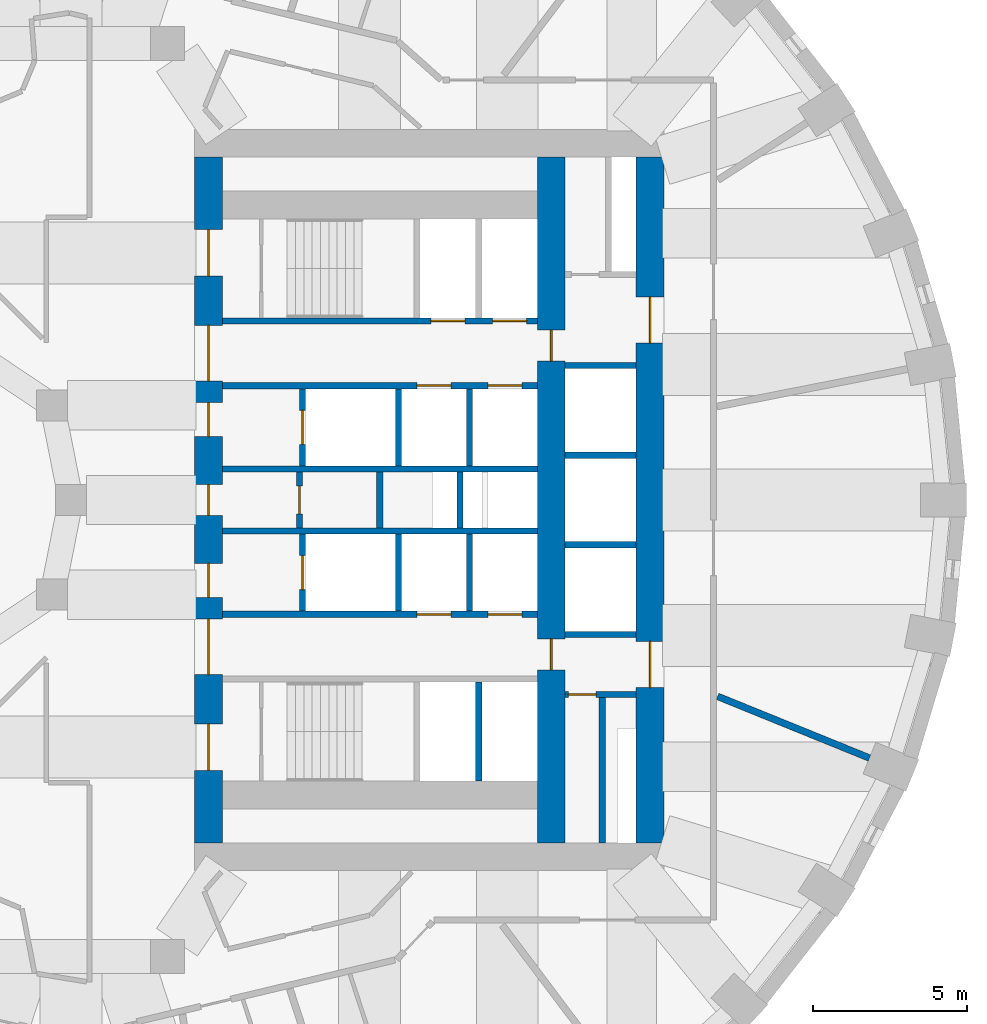
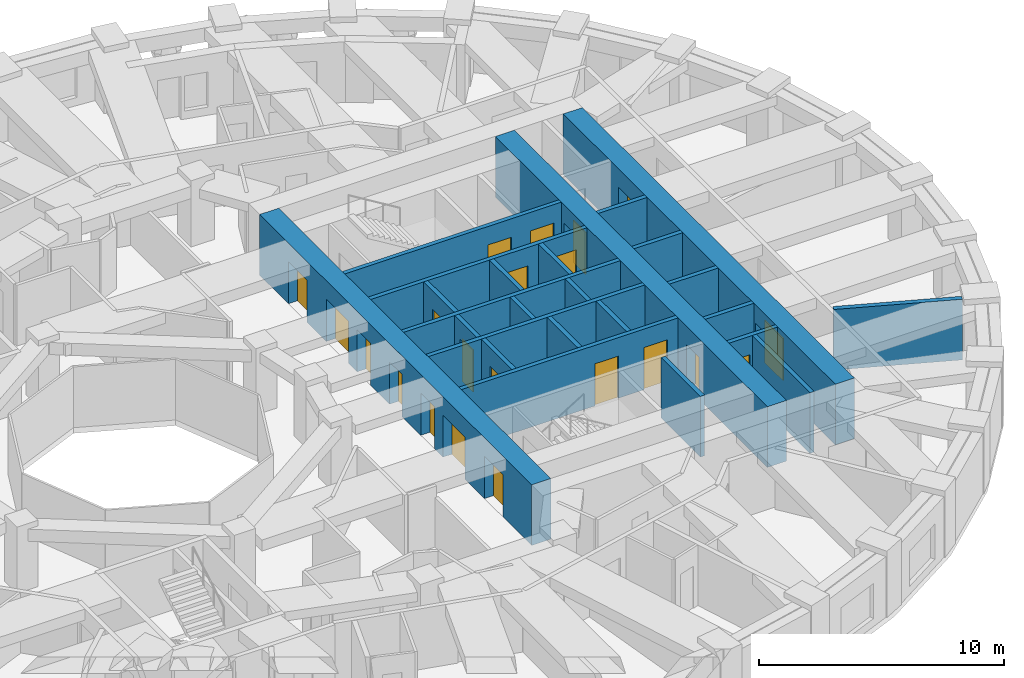
# One storey, part 6 of 14: 25 walls, 21 doors, 21 openings.
"""IFC4 building model written with IfcOpenShell, lengths in metres."""

from ifc_helpers import new_model, si_unit, direction, frame, frame_2d, origin, place, context, subcontext, project, spatial, rectangle, extrude, material, layer, layer_set, type_object, element, fill, save


model = new_model("IFC4")

# Units and contexts
model_context = context("Model", 3, precision=1e-05, world=origin(), true_north=direction((0.0, 1.0)))
body_context = subcontext(model_context, "Body", "Model", "MODEL_VIEW")
ifc_project = project(units=[si_unit("LENGTHUNIT", "METRE"), si_unit("AREAUNIT", "SQUARE_METRE"), si_unit("VOLUMEUNIT", "CUBIC_METRE"), si_unit("PLANEANGLEUNIT", "RADIAN"), si_unit("MASSUNIT", "GRAM", prefix="KILO")], contexts=[model_context])

# Site, building, storey
site_placement = place(None, origin())
site = spatial("IfcSite", under=ifc_project, at=site_placement, CompositionType="ELEMENT")
building_placement = place(site_placement, origin())
building = spatial("IfcBuilding", under=site, at=building_placement, Name="Taillehof Tower", CompositionType="ELEMENT")
storey_placement = place(building_placement, frame((0.0, 0.0, 28.300048828125)))
storey = spatial("IfcBuildingStorey", under=building, at=storey_placement, Name="L06", CompositionType="ELEMENT", Elevation=28.300048828125)

# Wall, opening, door
ifc_material_1 = material(Name="Calcium silicate masonry", Category="masonry")
ifc_layer_1 = layer(ifc_material_1, 0.199951171875)
ifc_layer_set_1 = layer_set([ifc_layer_1], Name="Compartment wall calcium silicate 200")
wall_type_1 = type_object("IfcWallType", Name="Compartment wall calcium silicate 200", PredefinedType="PARTITIONING", material=ifc_layer_set_1)
wall_1_placement = place(storey_placement, frame((7.39990234375, -0.89990234375, 0.0), z_axis=(0.0, 0.0, 1.0), x_axis=(0.0, 1.0, 0.0)))
wall_1 = element("IfcWall", 1, at=wall_1_placement, inside=storey, type_object=wall_type_1, Name="Compartment wall FW", PredefinedType="PARTITIONING", context=body_context, shape_type="SweptSolid", body=[
    extrude(rectangle(XDim=1.7998046875, YDim=0.199951171875, at=frame_2d((0.89990234375, 0.0))), origin(), (0.0, 0.0, 1.0), 3.02001953125),
])
opening_1_placement = place(wall_1_placement, frame((0.449951171875, 0.0, 0.0)))
opening_1 = element("IfcOpeningElement", 2, at=opening_1_placement, cuts=wall_1, Name="Opening D0614", PredefinedType="OPENING", context=body_context, shape_type="SweptSolid", body=[
    extrude(rectangle(XDim=0.89990234375, YDim=2.10009765625, at=frame_2d((0.449951171875, 1.050048828125))), frame((0.0, 0.10986328125, 0.0), z_axis=(0.0, -1.0, 0.0), x_axis=(1.0, 0.0, 0.0)), (0.0, 0.0, 1.0), 0.219970703125),
])
ifc_material_2 = material(Name="Steel-faced fire door", Category="steel")
door_type_1 = type_object("IfcDoorType", Name="Riser and service room door 900x2100", OperationType="SINGLE_SWING_LEFT", PredefinedType="DOOR", material=ifc_material_2)
door_1_placement = place(opening_1_placement, origin())
door_1 = element("IfcDoor", 3, at=door_1_placement, inside=storey, type_object=door_type_1, Name="Door Beverage Store", OperationType="SINGLE_SWING_RIGHT", OverallHeight=2.10009765625, OverallWidth=0.89990234375, PredefinedType="DOOR", context=body_context, shape_type="SweptSolid", body=[
    extrude(rectangle(XDim=0.89990234375, YDim=2.10009765625, at=frame_2d((0.449951171875, 1.050048828125))), frame((0.0, 0.02490234375, 0.0), z_axis=(0.0, -1.0, 0.0), x_axis=(1.0, 0.0, 0.0)), (0.0, 0.0, 1.0), 0.050048828125),
])
fill(opening_1, door_1)

# Walls
for number, where, z_axis, x_axis, name in (
    (4, (10.0, -0.89990234375, 0.0), (0.0, 0.0, 1.0), (0.0, 1.0, 0.0), "Compartment wall FW"),
    (5, (12.60009765625, -0.89990234375, 0.0), (0.0, 0.0, 1.0), (0.0, 1.0, 0.0), "Compartment wall FW"),
):
    element("IfcWall", number, at=place(storey_placement, frame(where, z_axis=z_axis, x_axis=x_axis)), inside=storey, type_object=wall_type_1, Name=name, PredefinedType="PARTITIONING", context=body_context, shape_type="SweptSolid", body=[
        extrude(rectangle(XDim=1.7998046875, YDim=0.199951171875, at=frame_2d((0.89990234375, 0.0))), origin(), (0.0, 0.0, 1.0), 3.02001953125),
    ])

# Wall, opening, door
wall_2_placement = place(storey_placement, frame((16.0, -6.300048828125, 0.0), z_axis=(0.0, 0.0, 1.0), x_axis=(1.0, 0.0, 0.0)))
wall_2 = element("IfcWall", 6, at=wall_2_placement, inside=storey, type_object=wall_type_1, Name="Compartment wall FW", PredefinedType="PARTITIONING", context=body_context, shape_type="SweptSolid", body=[
    extrude(rectangle(XDim=2.300048828125, YDim=0.199951171875, at=frame_2d((1.14990234375, 0.0))), origin(), (0.0, 0.0, 1.0), 3.02001953125),
])
opening_2_placement = place(wall_2_placement, frame((0.10009765625, 0.0, 0.0)))
opening_2 = element("IfcOpeningElement", 7, at=opening_2_placement, cuts=wall_2, Name="Opening D0618", PredefinedType="OPENING", context=body_context, shape_type="SweptSolid", body=[
    extrude(rectangle(XDim=0.89990234375, YDim=2.10009765625, at=frame_2d((0.449951171875, 1.050048828125))), frame((0.0, 0.10986328125, 0.0), z_axis=(0.0, -1.0, 0.0), x_axis=(1.0, 0.0, 0.0)), (0.0, 0.0, 1.0), 0.219970703125),
])
door_2_placement = place(opening_2_placement, origin())
door_2 = element("IfcDoor", 8, at=door_2_placement, inside=storey, type_object=door_type_1, Name="Door Pump Room", OperationType="SINGLE_SWING_LEFT", OverallHeight=2.10009765625, OverallWidth=0.89990234375, PredefinedType="DOOR", context=body_context, shape_type="SweptSolid", body=[
    extrude(rectangle(XDim=0.89990234375, YDim=2.10009765625, at=frame_2d((0.449951171875, 1.050048828125))), frame((0.0, 0.02490234375, 0.0), z_axis=(0.0, -1.0, 0.0), x_axis=(1.0, 0.0, 0.0)), (0.0, 0.0, 1.0), 0.050048828125),
])
fill(opening_2, door_2)

# Walls
wall_3_placement = place(storey_placement, frame((17.199951171875, -11.10009765625, 0.0), z_axis=(0.0, 0.0, 1.0), x_axis=(0.0, 1.0, 0.0)))
element("IfcWall", 9, at=wall_3_placement, inside=storey, type_object=wall_type_1, Name="Compartment wall FW", PredefinedType="PARTITIONING", context=body_context, shape_type="SweptSolid", body=[
    extrude(rectangle(XDim=4.7001953125, YDim=0.199951171875, at=frame_2d((2.35009765625, 0.0))), origin(), (0.0, 0.0, 1.0), 3.02001953125),
])
ifc_material_3 = material(Name="Gypsum board on double steel studs with mineral wool", Category="steel")
ifc_layer_2 = layer(ifc_material_3, 0.219970703125)
ifc_layer_set_2 = layer_set([ifc_layer_2], Name="Compartment wall guest room 220")
wall_type_2 = type_object("IfcWallType", Name="Compartment wall guest room 220", PredefinedType="PARTITIONING", material=ifc_layer_set_2)
wall_4_placement = place(storey_placement, frame((25.851318359375, -8.35400390625, 0.0), z_axis=(0.0, 0.0, 1.0), x_axis=(-0.926546814299, 0.376179479653, 0.0)))
element("IfcWall", 10, at=wall_4_placement, inside=storey, type_object=wall_type_2, Name="Compartment wall", PredefinedType="PARTITIONING", context=body_context, shape_type="SweptSolid", body=[
    extrude(rectangle(XDim=5.3037109375, YDim=0.219970703125, at=frame_2d((2.65185546875, 0.0))), origin(), (0.0, 0.0, 1.0), 3.02001953125),
])

# Wall, openings, doors
ifc_material_4 = material(Name="Concrete C80/95", Category="concrete")
ifc_layer_3 = layer(ifc_material_4, 0.89990234375)
ifc_layer_set_3 = layer_set([ifc_layer_3], Name="Core wall C80/95 900")
wall_type_3 = type_object("IfcWallType", Name="Core wall C80/95 900", PredefinedType="SHEAR", material=ifc_layer_set_3)
wall_5_placement = place(storey_placement, frame((4.449951171875, -11.10009765625, 0.0), z_axis=(0.0, 0.0, 1.0), x_axis=(0.0, 1.0, 0.0)))
wall_5 = element("IfcWall", 11, at=wall_5_placement, inside=storey, type_object=wall_type_3, Name="Core wall CW01", PredefinedType="SHEAR", context=body_context, shape_type="SweptSolid", body=[
    extrude(rectangle(XDim=22.2001953125, YDim=0.89990234375, at=frame_2d((11.10009765625, 0.0))), origin(), (0.0, 0.0, 1.0), 3.02001953125),
])
opening_3_placement = place(wall_5_placement, frame((2.35009765625, 0.0, 0.0)))
opening_3 = element("IfcOpeningElement", 12, at=opening_3_placement, cuts=wall_5, Name="Opening D0601", PredefinedType="OPENING", context=body_context, shape_type="SweptSolid", body=[
    extrude(rectangle(XDim=1.5, YDim=2.10009765625, at=frame_2d((0.75, 1.050048828125))), frame((0.0, 0.4599609375, 0.0), z_axis=(0.0, -1.0, 0.0), x_axis=(1.0, 0.0, 0.0)), (0.0, 0.0, 1.0), 0.919921875),
])
opening_4_placement = place(wall_5_placement, frame((5.449951171875, 0.0, 0.0)))
opening_4 = element("IfcOpeningElement", 13, at=opening_4_placement, cuts=wall_5, Name="Opening D0602", PredefinedType="OPENING", context=body_context, shape_type="SweptSolid", body=[
    extrude(rectangle(XDim=1.800048828125, YDim=2.10009765625, at=frame_2d((0.89990234375, 1.050048828125))), frame((0.0, 0.4599609375, 0.0), z_axis=(0.0, -1.0, 0.0), x_axis=(1.0, 0.0, 0.0)), (0.0, 0.0, 1.0), 0.919921875),
])
opening_5_placement = place(wall_5_placement, frame((7.949951171875, 0.0, 0.0)))
opening_5 = element("IfcOpeningElement", 14, at=opening_5_placement, cuts=wall_5, Name="Opening D0603", PredefinedType="OPENING", context=body_context, shape_type="SweptSolid", body=[
    extrude(rectangle(XDim=1.10009765625, YDim=2.10009765625, at=frame_2d((0.550048828125, 1.050048828125))), frame((0.0, 0.4599609375, 0.0), z_axis=(0.0, -1.0, 0.0), x_axis=(1.0, 0.0, 0.0)), (0.0, 0.0, 1.0), 0.919921875),
])
opening_6_placement = place(wall_5_placement, frame((10.60009765625, 0.0, 0.0)))
opening_6 = element("IfcOpeningElement", 15, at=opening_6_placement, cuts=wall_5, Name="Opening D0604", PredefinedType="OPENING", context=body_context, shape_type="SweptSolid", body=[
    extrude(rectangle(XDim=1.0, YDim=2.10009765625, at=frame_2d((0.5, 1.050048828125))), frame((0.0, 0.4599609375, 0.0), z_axis=(0.0, -1.0, 0.0), x_axis=(1.0, 0.0, 0.0)), (0.0, 0.0, 1.0), 0.919921875),
])
opening_7_placement = place(wall_5_placement, frame((13.14990234375, 0.0, 0.0)))
opening_7 = element("IfcOpeningElement", 16, at=opening_7_placement, cuts=wall_5, Name="Opening D0605", PredefinedType="OPENING", context=body_context, shape_type="SweptSolid", body=[
    extrude(rectangle(XDim=1.10009765625, YDim=2.10009765625, at=frame_2d((0.550048828125, 1.050048828125))), frame((0.0, 0.4599609375, 0.0), z_axis=(0.0, -1.0, 0.0), x_axis=(1.0, 0.0, 0.0)), (0.0, 0.0, 1.0), 0.919921875),
])
opening_8_placement = place(wall_5_placement, frame((14.949951171875, 0.0, 0.0)))
opening_8 = element("IfcOpeningElement", 17, at=opening_8_placement, cuts=wall_5, Name="Opening D0606", PredefinedType="OPENING", context=body_context, shape_type="SweptSolid", body=[
    extrude(rectangle(XDim=1.800048828125, YDim=2.10009765625, at=frame_2d((0.89990234375, 1.050048828125))), frame((0.0, 0.4599609375, 0.0), z_axis=(0.0, -1.0, 0.0), x_axis=(1.0, 0.0, 0.0)), (0.0, 0.0, 1.0), 0.919921875),
])
opening_9_placement = place(wall_5_placement, frame((18.35009765625, 0.0, 0.0)))
opening_9 = element("IfcOpeningElement", 18, at=opening_9_placement, cuts=wall_5, Name="Opening D0607", PredefinedType="OPENING", context=body_context, shape_type="SweptSolid", body=[
    extrude(rectangle(XDim=1.5, YDim=2.10009765625, at=frame_2d((0.75, 1.050048828125))), frame((0.0, 0.4599609375, 0.0), z_axis=(0.0, -1.0, 0.0), x_axis=(1.0, 0.0, 0.0)), (0.0, 0.0, 1.0), 0.919921875),
])
ifc_material_5 = material(Name="Steel-faced fire door", Category="steel")
door_type_2 = type_object("IfcDoorType", Name="Firefighting lobby door 1100x2100", OperationType="SINGLE_SWING_RIGHT", PredefinedType="DOOR", material=ifc_material_5)
door_3_placement = place(opening_5_placement, origin())
door_3 = element("IfcDoor", 19, at=door_3_placement, inside=storey, type_object=door_type_2, Name="Firefighting lobby door FFL-S", OperationType="SINGLE_SWING_RIGHT", OverallHeight=2.10009765625, OverallWidth=1.10009765625, PredefinedType="DOOR", context=body_context, shape_type="SweptSolid", body=[
    extrude(rectangle(XDim=1.10009765625, YDim=2.10009765625, at=frame_2d((0.550048828125, 1.050048828125))), frame((0.0, 0.02490234375, 0.0), z_axis=(0.0, -1.0, 0.0), x_axis=(1.0, 0.0, 0.0)), (0.0, 0.0, 1.0), 0.050048828125),
])
fill(opening_5, door_3)
door_4_placement = place(opening_7_placement, origin())
door_4 = element("IfcDoor", 20, at=door_4_placement, inside=storey, type_object=door_type_2, Name="Firefighting lobby door FFL-N", OperationType="SINGLE_SWING_LEFT", OverallHeight=2.10009765625, OverallWidth=1.10009765625, PredefinedType="DOOR", context=body_context, shape_type="SweptSolid", body=[
    extrude(rectangle(XDim=1.10009765625, YDim=2.10009765625, at=frame_2d((0.550048828125, 1.050048828125))), frame((0.0, 0.02490234375, 0.0), z_axis=(0.0, -1.0, 0.0), x_axis=(1.0, 0.0, 0.0)), (0.0, 0.0, 1.0), 0.050048828125),
])
fill(opening_7, door_4)
ifc_material_6 = material(Name="Steel-faced fire door", Category="steel")
door_type_3 = type_object("IfcDoorType", Name="Lift lobby door 1800x2100", OperationType="DOUBLE_DOOR_SINGLE_SWING", PredefinedType="DOOR", material=ifc_material_6)
door_5_placement = place(opening_4_placement, origin())
door_5 = element("IfcDoor", 21, at=door_5_placement, inside=storey, type_object=door_type_3, Name="Lift lobby door LL-S", OperationType="DOUBLE_DOOR_SINGLE_SWING", OverallHeight=2.10009765625, OverallWidth=1.800048828125, PredefinedType="DOOR", context=body_context, shape_type="SweptSolid", body=[
    extrude(rectangle(XDim=1.800048828125, YDim=2.10009765625, at=frame_2d((0.89990234375, 1.050048828125))), frame((0.0, 0.02490234375, 0.0), z_axis=(0.0, -1.0, 0.0), x_axis=(1.0, 0.0, 0.0)), (0.0, 0.0, 1.0), 0.050048828125),
])
fill(opening_4, door_5)
door_6_placement = place(opening_8_placement, origin())
door_6 = element("IfcDoor", 22, at=door_6_placement, inside=storey, type_object=door_type_3, Name="Lift lobby door LL-N", OperationType="DOUBLE_DOOR_SINGLE_SWING", OverallHeight=2.10009765625, OverallWidth=1.800048828125, PredefinedType="DOOR", context=body_context, shape_type="SweptSolid", body=[
    extrude(rectangle(XDim=1.800048828125, YDim=2.10009765625, at=frame_2d((0.89990234375, 1.050048828125))), frame((0.0, 0.02490234375, 0.0), z_axis=(0.0, -1.0, 0.0), x_axis=(1.0, 0.0, 0.0)), (0.0, 0.0, 1.0), 0.050048828125),
])
fill(opening_8, door_6)
ifc_material_7 = material(Name="Steel-faced fire door", Category="steel")
door_type_4 = type_object("IfcDoorType", Name="Service door 1000x2100", OperationType="SINGLE_SWING_RIGHT", PredefinedType="DOOR", material=ifc_material_7)
door_7_placement = place(opening_6_placement, origin())
door_7 = element("IfcDoor", 23, at=door_7_placement, inside=storey, type_object=door_type_4, Name="Service door SV", OperationType="SINGLE_SWING_RIGHT", OverallHeight=2.10009765625, OverallWidth=1.0, PredefinedType="DOOR", context=body_context, shape_type="SweptSolid", body=[
    extrude(rectangle(XDim=1.0, YDim=2.10009765625, at=frame_2d((0.5, 1.050048828125))), frame((0.0, 0.02490234375, 0.0), z_axis=(0.0, -1.0, 0.0), x_axis=(1.0, 0.0, 0.0)), (0.0, 0.0, 1.0), 0.050048828125),
])
fill(opening_6, door_7)
ifc_material_8 = material(Name="Steel-faced fire door", Category="steel")
door_type_5 = type_object("IfcDoorType", Name="Stair door 1500x2100", OperationType="DOUBLE_DOOR_SINGLE_SWING", PredefinedType="DOOR", material=ifc_material_8)
door_8_placement = place(opening_3_placement, origin())
door_8 = element("IfcDoor", 24, at=door_8_placement, inside=storey, type_object=door_type_5, Name="Stair door S2", OperationType="DOUBLE_DOOR_SINGLE_SWING", OverallHeight=2.10009765625, OverallWidth=1.5, PredefinedType="DOOR", context=body_context, shape_type="SweptSolid", body=[
    extrude(rectangle(XDim=1.5, YDim=2.10009765625, at=frame_2d((0.75, 1.050048828125))), frame((0.0, 0.02490234375, 0.0), z_axis=(0.0, -1.0, 0.0), x_axis=(1.0, 0.0, 0.0)), (0.0, 0.0, 1.0), 0.050048828125),
])
fill(opening_3, door_8)
door_9_placement = place(opening_9_placement, origin())
door_9 = element("IfcDoor", 25, at=door_9_placement, inside=storey, type_object=door_type_5, Name="Stair door S1", OperationType="DOUBLE_DOOR_SINGLE_SWING", OverallHeight=2.10009765625, OverallWidth=1.5, PredefinedType="DOOR", context=body_context, shape_type="SweptSolid", body=[
    extrude(rectangle(XDim=1.5, YDim=2.10009765625, at=frame_2d((0.75, 1.050048828125))), frame((0.0, 0.02490234375, 0.0), z_axis=(0.0, -1.0, 0.0), x_axis=(1.0, 0.0, 0.0)), (0.0, 0.0, 1.0), 0.050048828125),
])
fill(opening_9, door_9)

wall_6_placement = place(storey_placement, frame((18.75, -11.10009765625, 0.0), z_axis=(0.0, 0.0, 1.0), x_axis=(0.0, 1.0, 0.0)))
wall_6 = element("IfcWall", 26, at=wall_6_placement, inside=storey, type_object=wall_type_3, Name="Core wall CW02", PredefinedType="SHEAR", context=body_context, shape_type="SweptSolid", body=[
    extrude(rectangle(XDim=22.2001953125, YDim=0.89990234375, at=frame_2d((11.10009765625, 0.0))), origin(), (0.0, 0.0, 1.0), 3.02001953125),
])
opening_10_placement = place(wall_6_placement, frame((16.175048828125, 0.0, 0.0)))
opening_10 = element("IfcOpeningElement", 27, at=opening_10_placement, cuts=wall_6, Name="Opening D0608", PredefinedType="OPENING", context=body_context, shape_type="SweptSolid", body=[
    extrude(rectangle(XDim=1.5, YDim=2.10009765625, at=frame_2d((0.75, 1.050048828125))), frame((0.0, 0.4599609375, 0.0), z_axis=(0.0, -1.0, 0.0), x_axis=(1.0, 0.0, 0.0)), (0.0, 0.0, 1.0), 0.919921875),
])
opening_11_placement = place(wall_6_placement, frame((5.02490234375, 0.0, 0.0)))
opening_11 = element("IfcOpeningElement", 28, at=opening_11_placement, cuts=wall_6, Name="Opening D0609", PredefinedType="OPENING", context=body_context, shape_type="SweptSolid", body=[
    extrude(rectangle(XDim=1.5, YDim=2.10009765625, at=frame_2d((0.75, 1.050048828125))), frame((0.0, 0.4599609375, 0.0), z_axis=(0.0, -1.0, 0.0), x_axis=(1.0, 0.0, 0.0)), (0.0, 0.0, 1.0), 0.919921875),
])
ifc_material_9 = material(Name="Steel-faced fire door", Category="steel")
door_type_6 = type_object("IfcDoorType", Name="Lift lobby east door 1500x2100", OperationType="DOUBLE_DOOR_SINGLE_SWING", PredefinedType="DOOR", material=ifc_material_9)
door_10_placement = place(opening_10_placement, origin())
door_10 = element("IfcDoor", 29, at=door_10_placement, inside=storey, type_object=door_type_6, Name="Lift lobby east door north", OperationType="DOUBLE_DOOR_SINGLE_SWING", OverallHeight=2.10009765625, OverallWidth=1.5, PredefinedType="DOOR", context=body_context, shape_type="SweptSolid", body=[
    extrude(rectangle(XDim=1.5, YDim=2.10009765625, at=frame_2d((0.75, 1.050048828125))), frame((0.0, 0.02490234375, 0.0), z_axis=(0.0, -1.0, 0.0), x_axis=(1.0, 0.0, 0.0)), (0.0, 0.0, 1.0), 0.050048828125),
])
fill(opening_10, door_10)
door_11_placement = place(opening_11_placement, origin())
door_11 = element("IfcDoor", 30, at=door_11_placement, inside=storey, type_object=door_type_6, Name="Lift lobby east door south", OperationType="DOUBLE_DOOR_SINGLE_SWING", OverallHeight=2.10009765625, OverallWidth=1.5, PredefinedType="DOOR", context=body_context, shape_type="SweptSolid", body=[
    extrude(rectangle(XDim=1.5, YDim=2.10009765625, at=frame_2d((0.75, 1.050048828125))), frame((0.0, 0.02490234375, 0.0), z_axis=(0.0, -1.0, 0.0), x_axis=(1.0, 0.0, 0.0)), (0.0, 0.0, 1.0), 0.050048828125),
])
fill(opening_11, door_11)

wall_7_placement = place(storey_placement, frame((15.550048828125, -11.10009765625, 0.0), z_axis=(0.0, 0.0, 1.0), x_axis=(0.0, 1.0, 0.0)))
wall_7 = element("IfcWall", 31, at=wall_7_placement, inside=storey, type_object=wall_type_3, Name="Core wall CW05", PredefinedType="SHEAR", context=body_context, shape_type="SweptSolid", body=[
    extrude(rectangle(XDim=22.2001953125, YDim=0.89990234375, at=frame_2d((11.10009765625, 0.0))), origin(), (0.0, 0.0, 1.0), 3.02001953125),
])
opening_12_placement = place(wall_7_placement, frame((15.60009765625, 0.0, 0.0)))
opening_12 = element("IfcOpeningElement", 32, at=opening_12_placement, cuts=wall_7, Name="Opening D0615", PredefinedType="OPENING", context=body_context, shape_type="SweptSolid", body=[
    extrude(rectangle(XDim=1.0, YDim=2.10009765625, at=frame_2d((0.5, 1.050048828125))), frame((0.0, 0.4599609375, 0.0), z_axis=(0.0, -1.0, 0.0), x_axis=(1.0, 0.0, 0.0)), (0.0, 0.0, 1.0), 0.919921875),
])
opening_13_placement = place(wall_7_placement, frame((5.60009765625, 0.0, 0.0)))
opening_13 = element("IfcOpeningElement", 33, at=opening_13_placement, cuts=wall_7, Name="Opening D0617", PredefinedType="OPENING", context=body_context, shape_type="SweptSolid", body=[
    extrude(rectangle(XDim=1.0, YDim=2.10009765625, at=frame_2d((0.5, 1.050048828125))), frame((0.0, 0.4599609375, 0.0), z_axis=(0.0, -1.0, 0.0), x_axis=(1.0, 0.0, 0.0)), (0.0, 0.0, 1.0), 0.919921875),
])
door_12_placement = place(opening_12_placement, origin())
door_12 = element("IfcDoor", 34, at=door_12_placement, inside=storey, type_object=door_type_4, Name="Service door strip", OperationType="SINGLE_SWING_RIGHT", OverallHeight=2.10009765625, OverallWidth=1.0, PredefinedType="DOOR", context=body_context, shape_type="SweptSolid", body=[
    extrude(rectangle(XDim=1.0, YDim=2.10009765625, at=frame_2d((0.5, 1.050048828125))), frame((0.0, 0.02490234375, 0.0), z_axis=(0.0, -1.0, 0.0), x_axis=(1.0, 0.0, 0.0)), (0.0, 0.0, 1.0), 0.050048828125),
])
fill(opening_12, door_12)
door_13_placement = place(opening_13_placement, origin())
door_13 = element("IfcDoor", 35, at=door_13_placement, inside=storey, type_object=door_type_4, Name="Service door strip", OperationType="SINGLE_SWING_LEFT", OverallHeight=2.10009765625, OverallWidth=1.0, PredefinedType="DOOR", context=body_context, shape_type="SweptSolid", body=[
    extrude(rectangle(XDim=1.0, YDim=2.10009765625, at=frame_2d((0.5, 1.050048828125))), frame((0.0, 0.02490234375, 0.0), z_axis=(0.0, -1.0, 0.0), x_axis=(1.0, 0.0, 0.0)), (0.0, 0.0, 1.0), 0.050048828125),
])
fill(opening_13, door_13)

ifc_material_10 = material(Name="Concrete C50/60", Category="concrete")
ifc_layer_4 = layer(ifc_material_10, 0.199951171875)
ifc_layer_set_4 = layer_set([ifc_layer_4], Name="Shaft wall C50/60 200")
wall_type_4 = type_object("IfcWallType", Name="Shaft wall C50/60 200", PredefinedType="SHEAR", material=ifc_layer_set_4)
wall_8_placement = place(storey_placement, frame((4.89990234375, 5.800048828125, 0.0), z_axis=(0.0, 0.0, 1.0), x_axis=(1.0, 0.0, 0.0)))
wall_8 = element("IfcWall", 36, at=wall_8_placement, inside=storey, type_object=wall_type_4, Name="Shaft wall SW", PredefinedType="SHEAR", context=body_context, shape_type="SweptSolid", body=[
    extrude(rectangle(XDim=10.2001953125, YDim=0.199951171875, at=frame_2d((5.10009765625, 0.0))), origin(), (0.0, 0.0, 1.0), 3.02001953125),
])
opening_14_placement = place(wall_8_placement, frame((6.75, 0.0, 0.0)))
opening_14 = element("IfcOpeningElement", 37, at=opening_14_placement, cuts=wall_8, Name="Opening LD1", PredefinedType="OPENING", context=body_context, shape_type="SweptSolid", body=[
    extrude(rectangle(XDim=1.10009765625, YDim=2.10009765625, at=frame_2d((0.550048828125, 1.050048828125))), frame((0.0, 0.10986328125, 0.0), z_axis=(0.0, -1.0, 0.0), x_axis=(1.0, 0.0, 0.0)), (0.0, 0.0, 1.0), 0.219970703125),
])
opening_15_placement = place(wall_8_placement, frame((8.75, 0.0, 0.0)))
opening_15 = element("IfcOpeningElement", 38, at=opening_15_placement, cuts=wall_8, Name="Opening LD1", PredefinedType="OPENING", context=body_context, shape_type="SweptSolid", body=[
    extrude(rectangle(XDim=1.10009765625, YDim=2.10009765625, at=frame_2d((0.550048828125, 1.050048828125))), frame((0.0, 0.10986328125, 0.0), z_axis=(0.0, -1.0, 0.0), x_axis=(1.0, 0.0, 0.0)), (0.0, 0.0, 1.0), 0.219970703125),
])
ifc_material_11 = material(Name="Stainless steel", Category="steel")
door_type_7 = type_object("IfcDoorType", Name="Lift landing door LD1 1100x2100", OperationType="DOUBLE_DOOR_SLIDING", PredefinedType="DOOR", material=ifc_material_11)
door_14_placement = place(opening_14_placement, origin())
door_14 = element("IfcDoor", 39, at=door_14_placement, inside=storey, type_object=door_type_7, Name="Landing door LR1", OperationType="DOUBLE_DOOR_SLIDING", OverallHeight=2.10009765625, OverallWidth=1.10009765625, PredefinedType="DOOR", context=body_context, shape_type="SweptSolid", body=[
    extrude(rectangle(XDim=1.10009765625, YDim=2.10009765625, at=frame_2d((0.550048828125, 1.050048828125))), frame((0.0, 0.02490234375, 0.0), z_axis=(0.0, -1.0, 0.0), x_axis=(1.0, 0.0, 0.0)), (0.0, 0.0, 1.0), 0.050048828125),
])
fill(opening_14, door_14)
door_15_placement = place(opening_15_placement, origin())
door_15 = element("IfcDoor", 40, at=door_15_placement, inside=storey, type_object=door_type_7, Name="Landing door LR2", OperationType="DOUBLE_DOOR_SLIDING", OverallHeight=2.10009765625, OverallWidth=1.10009765625, PredefinedType="DOOR", context=body_context, shape_type="SweptSolid", body=[
    extrude(rectangle(XDim=1.10009765625, YDim=2.10009765625, at=frame_2d((0.550048828125, 1.050048828125))), frame((0.0, 0.02490234375, 0.0), z_axis=(0.0, -1.0, 0.0), x_axis=(1.0, 0.0, 0.0)), (0.0, 0.0, 1.0), 0.050048828125),
])
fill(opening_15, door_15)

wall_9_placement = place(storey_placement, frame((4.89990234375, 3.699951171875, 0.0), z_axis=(0.0, 0.0, 1.0), x_axis=(1.0, 0.0, 0.0)))
wall_9 = element("IfcWall", 41, at=wall_9_placement, inside=storey, type_object=wall_type_4, Name="Shaft wall SW", PredefinedType="SHEAR", context=body_context, shape_type="SweptSolid", body=[
    extrude(rectangle(XDim=10.2001953125, YDim=0.199951171875, at=frame_2d((5.10009765625, 0.0))), origin(), (0.0, 0.0, 1.0), 3.02001953125),
])
opening_16_placement = place(wall_9_placement, frame((6.300048828125, 0.0, 0.0)))
opening_16 = element("IfcOpeningElement", 42, at=opening_16_placement, cuts=wall_9, Name="Opening LD1", PredefinedType="OPENING", context=body_context, shape_type="SweptSolid", body=[
    extrude(rectangle(XDim=1.10009765625, YDim=2.10009765625, at=frame_2d((0.550048828125, 1.050048828125))), frame((0.0, 0.10986328125, 0.0), z_axis=(0.0, -1.0, 0.0), x_axis=(1.0, 0.0, 0.0)), (0.0, 0.0, 1.0), 0.219970703125),
])
opening_17_placement = place(wall_9_placement, frame((8.60009765625, 0.0, 0.0)))
opening_17 = element("IfcOpeningElement", 43, at=opening_17_placement, cuts=wall_9, Name="Opening LD1", PredefinedType="OPENING", context=body_context, shape_type="SweptSolid", body=[
    extrude(rectangle(XDim=1.10009765625, YDim=2.10009765625, at=frame_2d((0.550048828125, 1.050048828125))), frame((0.0, 0.10986328125, 0.0), z_axis=(0.0, -1.0, 0.0), x_axis=(1.0, 0.0, 0.0)), (0.0, 0.0, 1.0), 0.219970703125),
])
door_16_placement = place(opening_16_placement, origin())
door_16 = element("IfcDoor", 44, at=door_16_placement, inside=storey, type_object=door_type_7, Name="Landing door LR3", OperationType="DOUBLE_DOOR_SLIDING", OverallHeight=2.10009765625, OverallWidth=1.10009765625, PredefinedType="DOOR", context=body_context, shape_type="SweptSolid", body=[
    extrude(rectangle(XDim=1.10009765625, YDim=2.10009765625, at=frame_2d((0.550048828125, 1.050048828125))), frame((0.0, 0.02490234375, 0.0), z_axis=(0.0, -1.0, 0.0), x_axis=(1.0, 0.0, 0.0)), (0.0, 0.0, 1.0), 0.050048828125),
])
fill(opening_16, door_16)
door_17_placement = place(opening_17_placement, origin())
door_17 = element("IfcDoor", 45, at=door_17_placement, inside=storey, type_object=door_type_7, Name="Landing door LR4", OperationType="DOUBLE_DOOR_SLIDING", OverallHeight=2.10009765625, OverallWidth=1.10009765625, PredefinedType="DOOR", context=body_context, shape_type="SweptSolid", body=[
    extrude(rectangle(XDim=1.10009765625, YDim=2.10009765625, at=frame_2d((0.550048828125, 1.050048828125))), frame((0.0, 0.02490234375, 0.0), z_axis=(0.0, -1.0, 0.0), x_axis=(1.0, 0.0, 0.0)), (0.0, 0.0, 1.0), 0.050048828125),
])
fill(opening_17, door_17)

# Walls
for number, where, z_axis, x_axis, name in (
    (46, (4.89990234375, 1.0, 0.0), (0.0, 0.0, 1.0), (1.0, 0.0, 0.0), "Shaft wall SW"),
    (47, (4.89990234375, -1.0, 0.0), (0.0, 0.0, 1.0), (1.0, 0.0, 0.0), "Shaft wall SW"),
):
    element("IfcWall", number, at=place(storey_placement, frame(where, z_axis=z_axis, x_axis=x_axis)), inside=storey, type_object=wall_type_4, Name=name, PredefinedType="SHEAR", context=body_context, shape_type="SweptSolid", body=[
        extrude(rectangle(XDim=10.2001953125, YDim=0.199951171875, at=frame_2d((5.10009765625, 0.0))), origin(), (0.0, 0.0, 1.0), 3.02001953125),
    ])

# Wall, openings, doors
wall_10_placement = place(storey_placement, frame((4.89990234375, -3.699951171875, 0.0), z_axis=(0.0, 0.0, 1.0), x_axis=(1.0, 0.0, 0.0)))
wall_10 = element("IfcWall", 48, at=wall_10_placement, inside=storey, type_object=wall_type_4, Name="Shaft wall SW", PredefinedType="SHEAR", context=body_context, shape_type="SweptSolid", body=[
    extrude(rectangle(XDim=10.2001953125, YDim=0.199951171875, at=frame_2d((5.10009765625, 0.0))), origin(), (0.0, 0.0, 1.0), 3.02001953125),
])
opening_18_placement = place(wall_10_placement, frame((6.300048828125, 0.0, 0.0)))
opening_18 = element("IfcOpeningElement", 49, at=opening_18_placement, cuts=wall_10, Name="Opening LD1", PredefinedType="OPENING", context=body_context, shape_type="SweptSolid", body=[
    extrude(rectangle(XDim=1.10009765625, YDim=2.10009765625, at=frame_2d((0.550048828125, 1.050048828125))), frame((0.0, 0.10986328125, 0.0), z_axis=(0.0, -1.0, 0.0), x_axis=(1.0, 0.0, 0.0)), (0.0, 0.0, 1.0), 0.219970703125),
])
opening_19_placement = place(wall_10_placement, frame((8.60009765625, 0.0, 0.0)))
opening_19 = element("IfcOpeningElement", 50, at=opening_19_placement, cuts=wall_10, Name="Opening LD1", PredefinedType="OPENING", context=body_context, shape_type="SweptSolid", body=[
    extrude(rectangle(XDim=1.10009765625, YDim=2.10009765625, at=frame_2d((0.550048828125, 1.050048828125))), frame((0.0, 0.10986328125, 0.0), z_axis=(0.0, -1.0, 0.0), x_axis=(1.0, 0.0, 0.0)), (0.0, 0.0, 1.0), 0.219970703125),
])
door_18_placement = place(opening_18_placement, origin())
door_18 = element("IfcDoor", 51, at=door_18_placement, inside=storey, type_object=door_type_7, Name="Landing door LR5", OperationType="DOUBLE_DOOR_SLIDING", OverallHeight=2.10009765625, OverallWidth=1.10009765625, PredefinedType="DOOR", context=body_context, shape_type="SweptSolid", body=[
    extrude(rectangle(XDim=1.10009765625, YDim=2.10009765625, at=frame_2d((0.550048828125, 1.050048828125))), frame((0.0, 0.02490234375, 0.0), z_axis=(0.0, -1.0, 0.0), x_axis=(1.0, 0.0, 0.0)), (0.0, 0.0, 1.0), 0.050048828125),
])
fill(opening_18, door_18)
door_19_placement = place(opening_19_placement, origin())
door_19 = element("IfcDoor", 52, at=door_19_placement, inside=storey, type_object=door_type_7, Name="Landing door LR6", OperationType="DOUBLE_DOOR_SLIDING", OverallHeight=2.10009765625, OverallWidth=1.10009765625, PredefinedType="DOOR", context=body_context, shape_type="SweptSolid", body=[
    extrude(rectangle(XDim=1.10009765625, YDim=2.10009765625, at=frame_2d((0.550048828125, 1.050048828125))), frame((0.0, 0.02490234375, 0.0), z_axis=(0.0, -1.0, 0.0), x_axis=(1.0, 0.0, 0.0)), (0.0, 0.0, 1.0), 0.050048828125),
])
fill(opening_19, door_19)

# Wall
wall_11_placement = place(storey_placement, frame((13.199951171875, -9.10009765625, 0.0), z_axis=(0.0, 0.0, 1.0), x_axis=(0.0, 1.0, 0.0)))
element("IfcWall", 53, at=wall_11_placement, inside=storey, type_object=wall_type_4, Name="Shaft wall SW", PredefinedType="SHEAR", context=body_context, shape_type="SweptSolid", body=[
    extrude(rectangle(XDim=3.2001953125, YDim=0.199951171875, at=frame_2d((1.60009765625, 0.0))), origin(), (0.0, 0.0, 1.0), 3.02001953125),
])

# Wall, opening, door
wall_12_placement = place(storey_placement, frame((7.5, 1.10009765625, 0.0), z_axis=(0.0, 0.0, 1.0), x_axis=(0.0, 1.0, 0.0)))
wall_12 = element("IfcWall", 54, at=wall_12_placement, inside=storey, type_object=wall_type_4, Name="Shaft wall SW", PredefinedType="SHEAR", context=body_context, shape_type="SweptSolid", body=[
    extrude(rectangle(XDim=2.5, YDim=0.199951171875, at=frame_2d((1.25, 0.0))), origin(), (0.0, 0.0, 1.0), 3.02001953125),
])
opening_20_placement = place(wall_12_placement, frame((0.699951171875, 0.0, 0.0)))
opening_20 = element("IfcOpeningElement", 55, at=opening_20_placement, cuts=wall_12, Name="Opening LD1", PredefinedType="OPENING", context=body_context, shape_type="SweptSolid", body=[
    extrude(rectangle(XDim=1.10009765625, YDim=2.10009765625, at=frame_2d((0.550048828125, 1.050048828125))), frame((0.0, 0.10986328125, 0.0), z_axis=(0.0, -1.0, 0.0), x_axis=(1.0, 0.0, 0.0)), (0.0, 0.0, 1.0), 0.219970703125),
])
door_20_placement = place(opening_20_placement, origin())
door_20 = element("IfcDoor", 56, at=door_20_placement, inside=storey, type_object=door_type_7, Name="Landing door FF1", OperationType="DOUBLE_DOOR_SLIDING", OverallHeight=2.10009765625, OverallWidth=1.10009765625, PredefinedType="DOOR", context=body_context, shape_type="SweptSolid", body=[
    extrude(rectangle(XDim=1.10009765625, YDim=2.10009765625, at=frame_2d((0.550048828125, 1.050048828125))), frame((0.0, 0.02490234375, 0.0), z_axis=(0.0, -1.0, 0.0), x_axis=(1.0, 0.0, 0.0)), (0.0, 0.0, 1.0), 0.050048828125),
])
fill(opening_20, door_20)

wall_13_placement = place(storey_placement, frame((7.5, -3.60009765625, 0.0), z_axis=(0.0, 0.0, 1.0), x_axis=(0.0, 1.0, 0.0)))
wall_13 = element("IfcWall", 57, at=wall_13_placement, inside=storey, type_object=wall_type_4, Name="Shaft wall SW", PredefinedType="SHEAR", context=body_context, shape_type="SweptSolid", body=[
    extrude(rectangle(XDim=2.5, YDim=0.199951171875, at=frame_2d((1.25, 0.0))), origin(), (0.0, 0.0, 1.0), 3.02001953125),
])
opening_21_placement = place(wall_13_placement, frame((0.699951171875, 0.0, 0.0)))
opening_21 = element("IfcOpeningElement", 58, at=opening_21_placement, cuts=wall_13, Name="Opening LD1", PredefinedType="OPENING", context=body_context, shape_type="SweptSolid", body=[
    extrude(rectangle(XDim=1.10009765625, YDim=2.10009765625, at=frame_2d((0.550048828125, 1.050048828125))), frame((0.0, 0.10986328125, 0.0), z_axis=(0.0, -1.0, 0.0), x_axis=(1.0, 0.0, 0.0)), (0.0, 0.0, 1.0), 0.219970703125),
])
door_21_placement = place(opening_21_placement, origin())
door_21 = element("IfcDoor", 59, at=door_21_placement, inside=storey, type_object=door_type_7, Name="Landing door FF2", OperationType="DOUBLE_DOOR_SLIDING", OverallHeight=2.10009765625, OverallWidth=1.10009765625, PredefinedType="DOOR", context=body_context, shape_type="SweptSolid", body=[
    extrude(rectangle(XDim=1.10009765625, YDim=2.10009765625, at=frame_2d((0.550048828125, 1.050048828125))), frame((0.0, 0.02490234375, 0.0), z_axis=(0.0, -1.0, 0.0), x_axis=(1.0, 0.0, 0.0)), (0.0, 0.0, 1.0), 0.050048828125),
])
fill(opening_21, door_21)

# Walls
for number, where, z_axis, x_axis, name in (
    (60, (10.60009765625, 1.10009765625, 0.0), (0.0, 0.0, 1.0), (0.0, 1.0, 0.0), "Shaft wall SW"),
    (61, (10.60009765625, -3.60009765625, 0.0), (0.0, 0.0, 1.0), (0.0, 1.0, 0.0), "Shaft wall SW"),
    (62, (12.89990234375, 1.10009765625, 0.0), (0.0, 0.0, 1.0), (0.0, 1.0, 0.0), "Shaft wall SW"),
    (63, (12.89990234375, -3.60009765625, 0.0), (0.0, 0.0, 1.0), (0.0, 1.0, 0.0), "Shaft wall SW"),
):
    element("IfcWall", number, at=place(storey_placement, frame(where, z_axis=z_axis, x_axis=x_axis)), inside=storey, type_object=wall_type_4, Name=name, PredefinedType="SHEAR", context=body_context, shape_type="SweptSolid", body=[
        extrude(rectangle(XDim=2.5, YDim=0.199951171875, at=frame_2d((1.25, 0.0))), origin(), (0.0, 0.0, 1.0), 3.02001953125),
    ])
for number, where, z_axis, x_axis, name in (
    (64, (16.0, -4.35009765625, 0.0), (0.0, 0.0, 1.0), (1.0, 0.0, 0.0), "Shaft wall SW"),
    (65, (16.0, -1.449951171875, 0.0), (0.0, 0.0, 1.0), (1.0, 0.0, 0.0), "Shaft wall SW"),
    (66, (16.0, 1.449951171875, 0.0), (0.0, 0.0, 1.0), (1.0, 0.0, 0.0), "Shaft wall SW"),
    (67, (16.0, 4.35009765625, 0.0), (0.0, 0.0, 1.0), (1.0, 0.0, 0.0), "Shaft wall SW"),
):
    element("IfcWall", number, at=place(storey_placement, frame(where, z_axis=z_axis, x_axis=x_axis)), inside=storey, type_object=wall_type_4, Name=name, PredefinedType="SHEAR", context=body_context, shape_type="SweptSolid", body=[
        extrude(rectangle(XDim=2.300048828125, YDim=0.199951171875, at=frame_2d((1.14990234375, 0.0))), origin(), (0.0, 0.0, 1.0), 3.02001953125),
    ])

save(model, "model.ifc")
